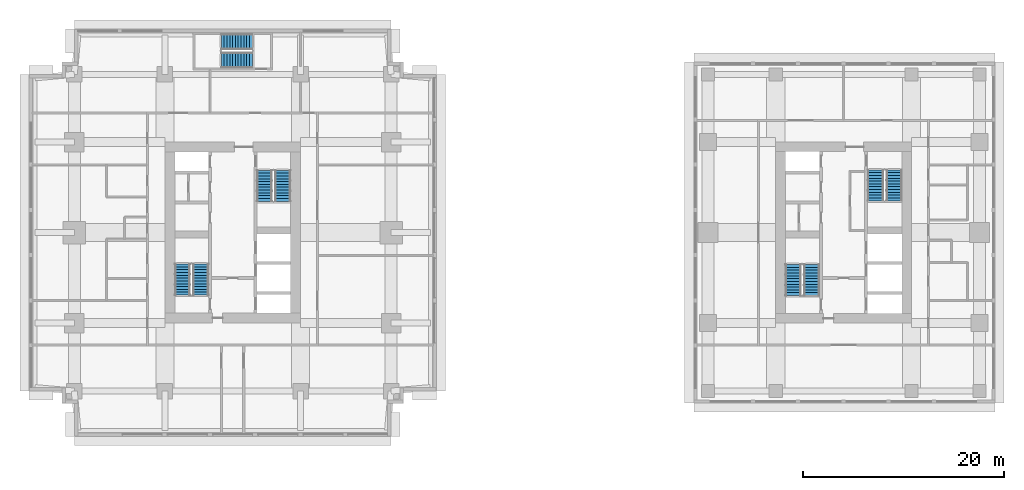
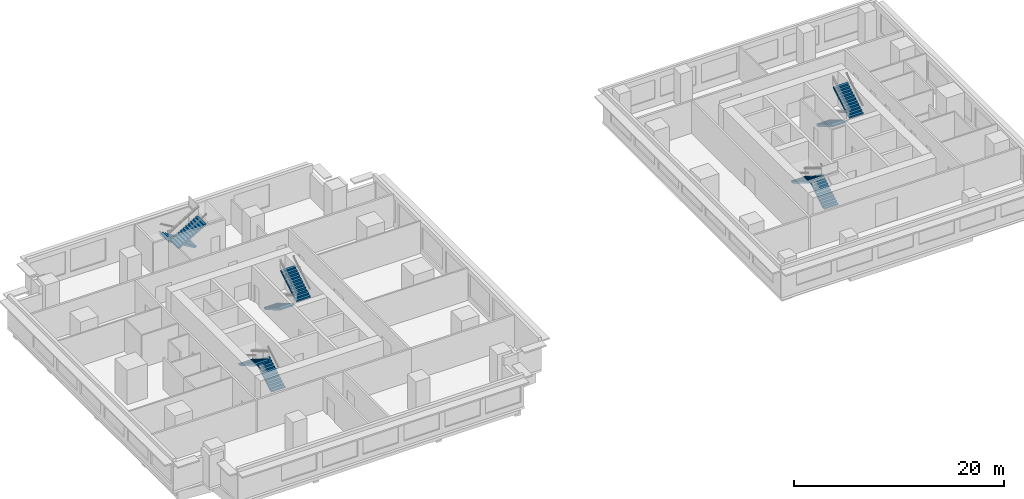
# One storey, part 8 of 10: 10 stair flights, 5 elements without a shape of their own.
"""IFC4 building model written with IfcOpenShell, lengths in metres."""

from ifc_helpers import new_model, si_unit, direction, frame, origin, place, context, subcontext, project, spatial, polyline, outline, extrude, material, type_object, element, aggregate, save


model = new_model("IFC4")

# Units and contexts
model_context = context("Model", 3, precision=1e-05, world=origin(), true_north=direction((0.0, 1.0)))
body_context = subcontext(model_context, "Body", "Model", "MODEL_VIEW")
ifc_project = project(units=[si_unit("LENGTHUNIT", "METRE"), si_unit("AREAUNIT", "SQUARE_METRE"), si_unit("VOLUMEUNIT", "CUBIC_METRE"), si_unit("PLANEANGLEUNIT", "RADIAN"), si_unit("MASSUNIT", "GRAM", prefix="KILO")], contexts=[model_context])

# Site, building, storey
site_placement = place(None, origin())
site = spatial("IfcSite", under=ifc_project, at=site_placement, CompositionType="ELEMENT")
building_placement = place(site_placement, origin())
building = spatial("IfcBuilding", under=site, at=building_placement, Name="Namib Vertical Campus", CompositionType="ELEMENT")
storey_placement = place(building_placement, frame((0.0, 0.0, 229.0)))
storey = spatial("IfcBuildingStorey", under=building, at=storey_placement, Name="L54", CompositionType="ELEMENT", Elevation=229.0)

# Stair, stair flights
ifc_material_1 = material(Name="Concrete C40/50 precast", Category="concrete")
stair_type_1 = type_object("IfcStairType", Name="Exit stair 4000 rise 24 risers 3350 wide", PredefinedType="HALF_TURN_STAIR", material=ifc_material_1)
stair_1_placement = place(storey_placement, origin())
stair_1 = element("IfcStair", 1, at=stair_1_placement, inside=storey, type_object=stair_type_1, Name="Exit stair A-S1 L54", PredefinedType="HALF_TURN_STAIR")
ifc_material_2 = material(Name="Concrete C40/50 precast", Category="concrete")
stair_flight_type_1 = type_object("IfcStairFlightType", Name="Stair flight 12 risers 167 1525 wide", PredefinedType="STRAIGHT", material=ifc_material_2)
stair_flight_1_placement = place(storey_placement, frame((17.08740234375, 14.050048828125, 0.0), z_axis=(0.0, 0.0, 1.0), x_axis=(0.0, 1.0, 0.0)))
stair_flight_1 = element("IfcStairFlight", 2, at=stair_flight_1_placement, type_object=stair_flight_type_1, Name="A-S1 flight 1", NumberOfRisers=12, NumberOfTreads=11, PredefinedType="STRAIGHT", RiserHeight=0.166666667, TreadLength=0.28, context=body_context, shape_type="SweptSolid", body=[
    extrude(outline(polyline([(0.0, 0.0), (0.0, 0.166748046875), (0.280029296875, 0.166748046875), (0.280029296875, 0.333251953125), (0.56005859375, 0.333251953125), (0.56005859375, 0.5), (0.840087890625, 0.5), (0.840087890625, 0.666748046875), (1.1201171875, 0.666748046875), (1.1201171875, 0.833251953125), (1.39990234375, 0.833251953125), (1.39990234375, 1.0), (1.679931640625, 1.0), (1.679931640625, 1.166748046875), (1.9599609375, 1.166748046875), (1.9599609375, 1.333251953125), (2.239990234375, 1.333251953125), (2.239990234375, 1.5), (2.52001953125, 1.5), (2.52001953125, 1.666748046875), (2.800048828125, 1.666748046875), (2.800048828125, 1.833251953125), (3.080078125, 1.833251953125), (3.080078125, 2.0), (3.080078125, 1.658935546875), (0.29296875, 0.0), (0.0, 0.0)])), frame((0.0, 0.762451171875, 0.0), z_axis=(0.0, -1.0, 0.0), x_axis=(1.0, 0.0, 0.0)), (0.0, 0.0, 1.0), 1.52490234375),
])
stair_flight_2_placement = place(storey_placement, frame((15.262451171875, 17.1298828125, 2.0), z_axis=(0.0, 0.0, 1.0), x_axis=(0.0, -1.0, 0.0)))
stair_flight_2 = element("IfcStairFlight", 3, at=stair_flight_2_placement, type_object=stair_flight_type_1, Name="A-S1 flight 2", NumberOfRisers=12, NumberOfTreads=11, PredefinedType="STRAIGHT", RiserHeight=0.166666667, TreadLength=0.28, context=body_context, shape_type="SweptSolid", body=[
    extrude(outline(polyline([(0.0, 0.0), (0.0, 0.166748046875), (0.280029296875, 0.166748046875), (0.280029296875, 0.333251953125), (0.56005859375, 0.333251953125), (0.56005859375, 0.5), (0.840087890625, 0.5), (0.840087890625, 0.666748046875), (1.1201171875, 0.666748046875), (1.1201171875, 0.833251953125), (1.39990234375, 0.833251953125), (1.39990234375, 1.0), (1.679931640625, 1.0), (1.679931640625, 1.166748046875), (1.9599609375, 1.166748046875), (1.9599609375, 1.333251953125), (2.239990234375, 1.333251953125), (2.239990234375, 1.5), (2.52001953125, 1.5), (2.52001953125, 1.666748046875), (2.800048828125, 1.666748046875), (2.800048828125, 1.833251953125), (3.080078125, 1.833251953125), (3.080078125, 2.0), (3.080078125, 1.658935546875), (0.29296875, 0.0), (0.0, 0.0)])), frame((0.0, 0.762451171875, 0.0), z_axis=(0.0, -1.0, 0.0), x_axis=(1.0, 0.0, 0.0)), (0.0, 0.0, 1.0), 1.52490234375),
])
aggregate(stair_1, [stair_flight_1, stair_flight_2])

stair_2_placement = place(storey_placement, origin())
stair_2 = element("IfcStair", 4, at=stair_2_placement, inside=storey, type_object=stair_type_1, Name="Exit stair A-S2 L54", PredefinedType="HALF_TURN_STAIR")
stair_flight_3_placement = place(storey_placement, frame((23.41259765625, 26.449951171875, 0.0), z_axis=(0.0, 0.0, 1.0), x_axis=(0.0, -1.0, 0.0)))
stair_flight_3 = element("IfcStairFlight", 5, at=stair_flight_3_placement, type_object=stair_flight_type_1, Name="A-S2 flight 1", NumberOfRisers=12, NumberOfTreads=11, PredefinedType="STRAIGHT", RiserHeight=0.166666667, TreadLength=0.28, context=body_context, shape_type="SweptSolid", body=[
    extrude(outline(polyline([(0.0, 0.0), (0.0, 0.166748046875), (0.280029296875, 0.166748046875), (0.280029296875, 0.333251953125), (0.56005859375, 0.333251953125), (0.56005859375, 0.5), (0.840087890625, 0.5), (0.840087890625, 0.666748046875), (1.1201171875, 0.666748046875), (1.1201171875, 0.833251953125), (1.39990234375, 0.833251953125), (1.39990234375, 1.0), (1.679931640625, 1.0), (1.679931640625, 1.166748046875), (1.9599609375, 1.166748046875), (1.9599609375, 1.333251953125), (2.239990234375, 1.333251953125), (2.239990234375, 1.5), (2.52001953125, 1.5), (2.52001953125, 1.666748046875), (2.800048828125, 1.666748046875), (2.800048828125, 1.833251953125), (3.080078125, 1.833251953125), (3.080078125, 2.0), (3.080078125, 1.658935546875), (0.29296875, 0.0), (0.0, 0.0)])), frame((0.0, 0.762451171875, 0.0), z_axis=(0.0, -1.0, 0.0), x_axis=(1.0, 0.0, 0.0)), (0.0, 0.0, 1.0), 1.52490234375),
])
stair_flight_4_placement = place(storey_placement, frame((25.237548828125, 23.3701171875, 2.0), z_axis=(0.0, 0.0, 1.0), x_axis=(0.0, 1.0, 0.0)))
stair_flight_4 = element("IfcStairFlight", 6, at=stair_flight_4_placement, type_object=stair_flight_type_1, Name="A-S2 flight 2", NumberOfRisers=12, NumberOfTreads=11, PredefinedType="STRAIGHT", RiserHeight=0.166666667, TreadLength=0.28, context=body_context, shape_type="SweptSolid", body=[
    extrude(outline(polyline([(0.0, 0.0), (0.0, 0.166748046875), (0.280029296875, 0.166748046875), (0.280029296875, 0.333251953125), (0.56005859375, 0.333251953125), (0.56005859375, 0.5), (0.840087890625, 0.5), (0.840087890625, 0.666748046875), (1.1201171875, 0.666748046875), (1.1201171875, 0.833251953125), (1.39990234375, 0.833251953125), (1.39990234375, 1.0), (1.679931640625, 1.0), (1.679931640625, 1.166748046875), (1.9599609375, 1.166748046875), (1.9599609375, 1.333251953125), (2.239990234375, 1.333251953125), (2.239990234375, 1.5), (2.52001953125, 1.5), (2.52001953125, 1.666748046875), (2.800048828125, 1.666748046875), (2.800048828125, 1.833251953125), (3.080078125, 1.833251953125), (3.080078125, 2.0), (3.080078125, 1.658935546875), (0.29296875, 0.0), (0.0, 0.0)])), frame((0.0, 0.762451171875, 0.0), z_axis=(0.0, -1.0, 0.0), x_axis=(1.0, 0.0, 0.0)), (0.0, 0.0, 1.0), 1.52490234375),
])
aggregate(stair_2, [stair_flight_3, stair_flight_4])

stair_3_placement = place(storey_placement, origin())
stair_3 = element("IfcStair", 7, at=stair_3_placement, inside=storey, type_object=stair_type_1, Name="Exit stair A-S3 L54", PredefinedType="HALF_TURN_STAIR")
stair_flight_5_placement = place(storey_placement, frame((22.199951171875, 39.237548828125, 0.0), z_axis=(0.0, 0.0, 1.0), x_axis=(-1.0, 0.0, 0.0)))
stair_flight_5 = element("IfcStairFlight", 8, at=stair_flight_5_placement, type_object=stair_flight_type_1, Name="A-S3 flight 1", NumberOfRisers=12, NumberOfTreads=11, PredefinedType="STRAIGHT", RiserHeight=0.166666667, TreadLength=0.28, context=body_context, shape_type="SweptSolid", body=[
    extrude(outline(polyline([(0.0, 0.0), (0.0, 0.166748046875), (0.280029296875, 0.166748046875), (0.280029296875, 0.333251953125), (0.56005859375, 0.333251953125), (0.56005859375, 0.5), (0.840087890625, 0.5), (0.840087890625, 0.666748046875), (1.1201171875, 0.666748046875), (1.1201171875, 0.833251953125), (1.39990234375, 0.833251953125), (1.39990234375, 1.0), (1.679931640625, 1.0), (1.679931640625, 1.166748046875), (1.9599609375, 1.166748046875), (1.9599609375, 1.333251953125), (2.239990234375, 1.333251953125), (2.239990234375, 1.5), (2.52001953125, 1.5), (2.52001953125, 1.666748046875), (2.800048828125, 1.666748046875), (2.800048828125, 1.833251953125), (3.080078125, 1.833251953125), (3.080078125, 2.0), (3.080078125, 1.658935546875), (0.29296875, 0.0), (0.0, 0.0)])), frame((0.0, 0.762451171875, 0.0), z_axis=(0.0, -1.0, 0.0), x_axis=(1.0, 0.0, 0.0)), (0.0, 0.0, 1.0), 1.52490234375),
])
stair_flight_6_placement = place(storey_placement, frame((19.1201171875, 37.41259765625, 2.0), z_axis=(0.0, 0.0, 1.0), x_axis=(1.0, 0.0, 0.0)))
stair_flight_6 = element("IfcStairFlight", 9, at=stair_flight_6_placement, type_object=stair_flight_type_1, Name="A-S3 flight 2", NumberOfRisers=12, NumberOfTreads=11, PredefinedType="STRAIGHT", RiserHeight=0.166666667, TreadLength=0.28, context=body_context, shape_type="SweptSolid", body=[
    extrude(outline(polyline([(0.0, 0.0), (0.0, 0.166748046875), (0.280029296875, 0.166748046875), (0.280029296875, 0.333251953125), (0.56005859375, 0.333251953125), (0.56005859375, 0.5), (0.840087890625, 0.5), (0.840087890625, 0.666748046875), (1.1201171875, 0.666748046875), (1.1201171875, 0.833251953125), (1.39990234375, 0.833251953125), (1.39990234375, 1.0), (1.679931640625, 1.0), (1.679931640625, 1.166748046875), (1.9599609375, 1.166748046875), (1.9599609375, 1.333251953125), (2.239990234375, 1.333251953125), (2.239990234375, 1.5), (2.52001953125, 1.5), (2.52001953125, 1.666748046875), (2.800048828125, 1.666748046875), (2.800048828125, 1.833251953125), (3.080078125, 1.833251953125), (3.080078125, 2.0), (3.080078125, 1.658935546875), (0.29296875, 0.0), (0.0, 0.0)])), frame((0.0, 0.762451171875, 0.0), z_axis=(0.0, -1.0, 0.0), x_axis=(1.0, 0.0, 0.0)), (0.0, 0.0, 1.0), 1.52490234375),
])
aggregate(stair_3, [stair_flight_5, stair_flight_6])

ifc_material_3 = material(Name="Concrete C40/50 precast", Category="concrete")
stair_type_2 = type_object("IfcStairType", Name="Exit stair 4000 rise 24 risers 3400 wide", PredefinedType="HALF_TURN_STAIR", material=ifc_material_3)
stair_4_placement = place(storey_placement, origin())
stair_4 = element("IfcStair", 10, at=stair_4_placement, inside=storey, type_object=stair_type_2, Name="Exit stair B-S1 L54", PredefinedType="HALF_TURN_STAIR")
ifc_material_4 = material(Name="Concrete C40/50 precast", Category="concrete")
stair_flight_type_2 = type_object("IfcStairFlightType", Name="Stair flight 12 risers 167 1550 wide", PredefinedType="STRAIGHT", material=ifc_material_4)
stair_flight_7_placement = place(storey_placement, frame((77.824951171875, 14.0, 0.0), z_axis=(0.0, 0.0, 1.0), x_axis=(0.0, 1.0, 0.0)))
stair_flight_7 = element("IfcStairFlight", 11, at=stair_flight_7_placement, type_object=stair_flight_type_2, Name="B-S1 flight 1", NumberOfRisers=12, NumberOfTreads=11, PredefinedType="STRAIGHT", RiserHeight=0.166666667, TreadLength=0.28, context=body_context, shape_type="SweptSolid", body=[
    extrude(outline(polyline([(0.0, 0.0), (0.0, 0.166748046875), (0.280029296875, 0.166748046875), (0.280029296875, 0.333251953125), (0.56005859375, 0.333251953125), (0.56005859375, 0.5), (0.840087890625, 0.5), (0.840087890625, 0.666748046875), (1.1201171875, 0.666748046875), (1.1201171875, 0.833251953125), (1.39990234375, 0.833251953125), (1.39990234375, 1.0), (1.679931640625, 1.0), (1.679931640625, 1.166748046875), (1.9599609375, 1.166748046875), (1.9599609375, 1.333251953125), (2.239990234375, 1.333251953125), (2.239990234375, 1.5), (2.52001953125, 1.5), (2.52001953125, 1.666748046875), (2.800048828125, 1.666748046875), (2.800048828125, 1.833251953125), (3.080078125, 1.833251953125), (3.080078125, 2.0), (3.080078125, 1.658935546875), (0.29296875, 0.0), (0.0, 0.0)])), frame((0.0, 0.77490234375, 0.0), z_axis=(0.0, -1.0, 0.0), x_axis=(1.0, 0.0, 0.0)), (0.0, 0.0, 1.0), 1.550048828125),
])
stair_flight_8_placement = place(storey_placement, frame((75.97509765625, 17.080078125, 2.0), z_axis=(0.0, 0.0, 1.0), x_axis=(0.0, -1.0, 0.0)))
stair_flight_8 = element("IfcStairFlight", 12, at=stair_flight_8_placement, type_object=stair_flight_type_2, Name="B-S1 flight 2", NumberOfRisers=12, NumberOfTreads=11, PredefinedType="STRAIGHT", RiserHeight=0.166666667, TreadLength=0.28, context=body_context, shape_type="SweptSolid", body=[
    extrude(outline(polyline([(0.0, 0.0), (0.0, 0.166748046875), (0.280029296875, 0.166748046875), (0.280029296875, 0.333251953125), (0.56005859375, 0.333251953125), (0.56005859375, 0.5), (0.840087890625, 0.5), (0.840087890625, 0.666748046875), (1.1201171875, 0.666748046875), (1.1201171875, 0.833251953125), (1.39990234375, 0.833251953125), (1.39990234375, 1.0), (1.679931640625, 1.0), (1.679931640625, 1.166748046875), (1.9599609375, 1.166748046875), (1.9599609375, 1.333251953125), (2.239990234375, 1.333251953125), (2.239990234375, 1.5), (2.52001953125, 1.5), (2.52001953125, 1.666748046875), (2.800048828125, 1.666748046875), (2.800048828125, 1.833251953125), (3.080078125, 1.833251953125), (3.080078125, 2.0), (3.080078125, 1.658935546875), (0.29296875, 0.0), (0.0, 0.0)])), frame((0.0, 0.77490234375, 0.0), z_axis=(0.0, -1.0, 0.0), x_axis=(1.0, 0.0, 0.0)), (0.0, 0.0, 1.0), 1.550048828125),
])
aggregate(stair_4, [stair_flight_7, stair_flight_8])

stair_5_placement = place(storey_placement, origin())
stair_5 = element("IfcStair", 13, at=stair_5_placement, inside=storey, type_object=stair_type_2, Name="Exit stair B-S2 L54", PredefinedType="HALF_TURN_STAIR")
stair_flight_9_placement = place(storey_placement, frame((84.175048828125, 26.5, 0.0), z_axis=(0.0, 0.0, 1.0), x_axis=(0.0, -1.0, 0.0)))
stair_flight_9 = element("IfcStairFlight", 14, at=stair_flight_9_placement, type_object=stair_flight_type_2, Name="B-S2 flight 1", NumberOfRisers=12, NumberOfTreads=11, PredefinedType="STRAIGHT", RiserHeight=0.166666667, TreadLength=0.28, context=body_context, shape_type="SweptSolid", body=[
    extrude(outline(polyline([(0.0, 0.0), (0.0, 0.166748046875), (0.280029296875, 0.166748046875), (0.280029296875, 0.333251953125), (0.56005859375, 0.333251953125), (0.56005859375, 0.5), (0.840087890625, 0.5), (0.840087890625, 0.666748046875), (1.1201171875, 0.666748046875), (1.1201171875, 0.833251953125), (1.39990234375, 0.833251953125), (1.39990234375, 1.0), (1.679931640625, 1.0), (1.679931640625, 1.166748046875), (1.9599609375, 1.166748046875), (1.9599609375, 1.333251953125), (2.239990234375, 1.333251953125), (2.239990234375, 1.5), (2.52001953125, 1.5), (2.52001953125, 1.666748046875), (2.800048828125, 1.666748046875), (2.800048828125, 1.833251953125), (3.080078125, 1.833251953125), (3.080078125, 2.0), (3.080078125, 1.658935546875), (0.29296875, 0.0), (0.0, 0.0)])), frame((0.0, 0.77490234375, 0.0), z_axis=(0.0, -1.0, 0.0), x_axis=(1.0, 0.0, 0.0)), (0.0, 0.0, 1.0), 1.550048828125),
])
stair_flight_10_placement = place(storey_placement, frame((86.02490234375, 23.419921875, 2.0), z_axis=(0.0, 0.0, 1.0), x_axis=(0.0, 1.0, 0.0)))
stair_flight_10 = element("IfcStairFlight", 15, at=stair_flight_10_placement, type_object=stair_flight_type_2, Name="B-S2 flight 2", NumberOfRisers=12, NumberOfTreads=11, PredefinedType="STRAIGHT", RiserHeight=0.166666667, TreadLength=0.28, context=body_context, shape_type="SweptSolid", body=[
    extrude(outline(polyline([(0.0, 0.0), (0.0, 0.166748046875), (0.280029296875, 0.166748046875), (0.280029296875, 0.333251953125), (0.56005859375, 0.333251953125), (0.56005859375, 0.5), (0.840087890625, 0.5), (0.840087890625, 0.666748046875), (1.1201171875, 0.666748046875), (1.1201171875, 0.833251953125), (1.39990234375, 0.833251953125), (1.39990234375, 1.0), (1.679931640625, 1.0), (1.679931640625, 1.166748046875), (1.9599609375, 1.166748046875), (1.9599609375, 1.333251953125), (2.239990234375, 1.333251953125), (2.239990234375, 1.5), (2.52001953125, 1.5), (2.52001953125, 1.666748046875), (2.800048828125, 1.666748046875), (2.800048828125, 1.833251953125), (3.080078125, 1.833251953125), (3.080078125, 2.0), (3.080078125, 1.658935546875), (0.29296875, 0.0), (0.0, 0.0)])), frame((0.0, 0.77490234375, 0.0), z_axis=(0.0, -1.0, 0.0), x_axis=(1.0, 0.0, 0.0)), (0.0, 0.0, 1.0), 1.550048828125),
])
aggregate(stair_5, [stair_flight_9, stair_flight_10])

save(model, "model.ifc")
